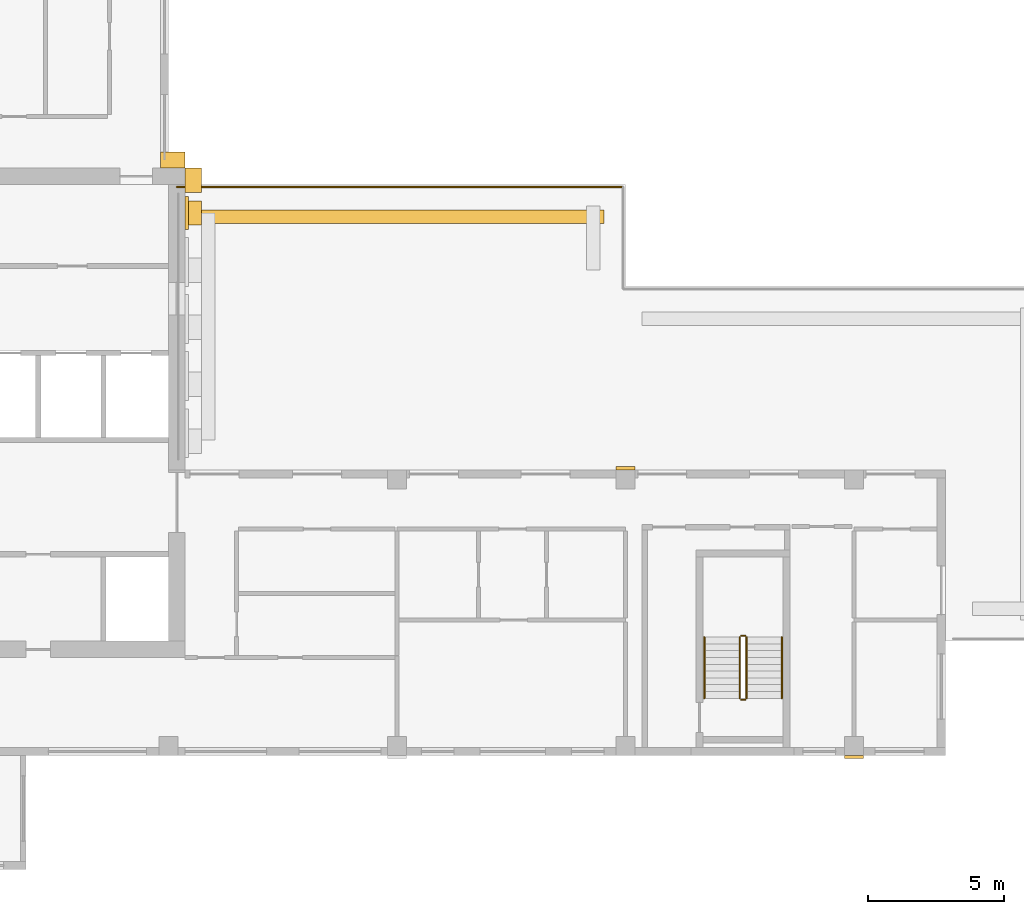
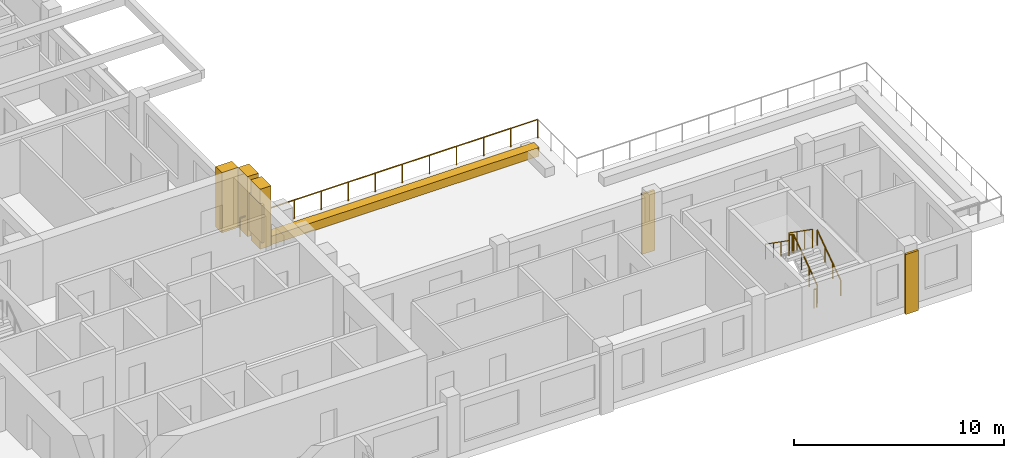
# One storey, part 10 of 12: 7 coverings, 7 railings.
"""IFC4 building model written with IfcOpenShell, lengths in metres."""

from ifc_helpers import new_model, si_unit, direction, frame, origin, origin_2d, place, context, subcontext, project, spatial, rectangle, circle, extrude, source, transform, mapped, material, type_object, element, save


model = new_model("IFC4")

# Units and contexts
model_context = context("Model", 3, precision=1e-05, world=origin(), true_north=direction((0.0, 1.0)))
body_context = subcontext(model_context, "Body", "Model", "MODEL_VIEW")
ifc_project = project(units=[si_unit("LENGTHUNIT", "METRE"), si_unit("AREAUNIT", "SQUARE_METRE"), si_unit("VOLUMEUNIT", "CUBIC_METRE"), si_unit("PLANEANGLEUNIT", "RADIAN"), si_unit("MASSUNIT", "GRAM", prefix="KILO")], contexts=[model_context])

# Site, building, storey
site_placement = place(None, origin())
site = spatial("IfcSite", under=ifc_project, at=site_placement, CompositionType="ELEMENT")
building_placement = place(site_placement, origin())
building = spatial("IfcBuilding", under=site, at=building_placement, Name="Aurelian Terraces", CompositionType="ELEMENT")
storey_placement = place(building_placement, frame((0.0, 0.0, 284.5)))
storey = spatial("IfcBuildingStorey", under=building, at=storey_placement, Name="L64", CompositionType="ELEMENT", Elevation=284.5)

# Railing
ifc_material_1 = material(Name="Anodised aluminium", Category="aluminium")
railing_type_1 = type_object("IfcRailingType", Name="GUARD-1100", PredefinedType="GUARDRAIL", material=ifc_material_1)
railing_1_placement = place(storey_placement, frame((21.3, 20.91, 0.0)))
element("IfcRailing", 1, at=railing_1_placement, inside=storey, type_object=railing_type_1, Name="Terrace guard L64 L64-X1.1", PredefinedType="GUARDRAIL", context=body_context, shape_type="SweptSolid", body=[
    extrude(circle(Radius=0.024, at=origin_2d()), frame((0.0, 0.0, 1.076), z_axis=(1.0, 0.0, 0.0), x_axis=(0.0, 1.0, 0.0)), (0.0, 0.0, 1.0), 16.41),
    extrude(circle(Radius=0.021, at=origin_2d()), origin(), (0.0, 0.0, 1.0), 1.052),
    extrude(circle(Radius=0.021, at=origin_2d()), frame((1.4918, 0.0, 0.0)), (0.0, 0.0, 1.0), 1.052),
    extrude(circle(Radius=0.021, at=origin_2d()), frame((2.9836, 0.0, 0.0)), (0.0, 0.0, 1.0), 1.052),
    extrude(circle(Radius=0.021, at=origin_2d()), frame((4.4755, 0.0, 0.0)), (0.0, 0.0, 1.0), 1.052),
    extrude(circle(Radius=0.021, at=origin_2d()), frame((5.9673, 0.0, 0.0)), (0.0, 0.0, 1.0), 1.052),
    extrude(circle(Radius=0.021, at=origin_2d()), frame((7.4591, 0.0, 0.0)), (0.0, 0.0, 1.0), 1.052),
    extrude(circle(Radius=0.021, at=origin_2d()), frame((8.9509, 0.0, 0.0)), (0.0, 0.0, 1.0), 1.052),
    extrude(circle(Radius=0.021, at=origin_2d()), frame((10.4427, 0.0, 0.0)), (0.0, 0.0, 1.0), 1.052),
    extrude(circle(Radius=0.021, at=origin_2d()), frame((11.9345, 0.0, 0.0)), (0.0, 0.0, 1.0), 1.052),
    extrude(circle(Radius=0.021, at=origin_2d()), frame((13.4264, 0.0, 0.0)), (0.0, 0.0, 1.0), 1.052),
    extrude(circle(Radius=0.021, at=origin_2d()), frame((14.9182, 0.0, 0.0)), (0.0, 0.0, 1.0), 1.052),
    extrude(circle(Radius=0.021, at=origin_2d()), frame((16.41, 0.0, 0.0)), (0.0, 0.0, 1.0), 1.052),
])

# Coverings
ifc_material_2 = material(Name="Terracotta rainscreen cladding louvre blades", Category="masonry")
covering_type_1 = type_object("IfcCoveringType", Name="LOUVRE-TC", PredefinedType="CLADDING", material=ifc_material_2)
covering_1_placement = place(storey_placement, frame((21.66, 19.95, 0.45), z_axis=(0.0, 0.0, 1.0), x_axis=(1.0, 0.0, 0.0)))
element("IfcCovering", 2, at=covering_1_placement, inside=storey, type_object=covering_type_1, Name="LOUVRE L64 core face E.5", PredefinedType="CLADDING", context=body_context, shape_type="SweptSolid", body=[
    extrude(rectangle(XDim=0.12, YDim=1.2, at=origin_2d()), origin(), (0.0, 0.0, 1.0), 2.2),
])
ifc_material_3 = material(Name="Terracotta planter with planting soil", Category="masonry")
covering_type_2 = type_object("IfcCoveringType", Name="PLANTER-TROUGH", PredefinedType="USERDEFINED", material=ifc_material_3)
covering_2_placement = place(storey_placement, frame((29.505, 19.81, 0.0), z_axis=(0.0, 0.0, 1.0), x_axis=(1.0, 0.0, 0.0)))
element("IfcCovering", 3, at=covering_2_placement, inside=storey, type_object=covering_type_2, Name="PLANTER L64 terrace L64-X1-0.1", ObjectType="PLANTER", PredefinedType="USERDEFINED", context=body_context, shape_type="SweptSolid", body=[
    extrude(rectangle(XDim=15.01, YDim=0.5, at=origin_2d()), origin(), (0.0, 0.0, 1.0), 0.5),
])
ifc_material_4 = material(Name="Terracotta rainscreen cladding relief", Category="masonry")
covering_type_3 = type_object("IfcCoveringType", Name="BAGUETTE-TC", PredefinedType="CLADDING", material=ifc_material_4)
shared_shape_1 = source(origin(), body_context, "Body", "SweptSolid", [
    extrude(rectangle(XDim=0.7, YDim=0.12, at=origin_2d()), origin(), (0.0, 0.0, 1.0), 3.5),
])
for number, where, z_axis, x_axis, name in (
    (4, (46.2, -0.06, -0.4), (0.0, 0.0, 1.0), (1.0, 0.0, 0.0), "BAGUETTE pier L64 3"),
    (5, (37.8, 10.56, -0.4), (0.0, 0.0, 1.0), (1.0, 0.0, 0.0), "BAGUETTE pier L64 4"),
):
    element("IfcCovering", number, at=place(storey_placement, frame(where, z_axis=z_axis, x_axis=x_axis)), inside=storey, type_object=covering_type_3, Name=name, PredefinedType="CLADDING", context=body_context, shape_type="MappedRepresentation", body=[
        mapped(shared_shape_1, transform((0.0, 0.0, 0.0), scale=1.0)),
    ])

# Railings
ifc_material_5 = material(Name="Stainless steel", Category="steel")
railing_type_2 = type_object("IfcRailingType", Name="Stair guard 1100", PredefinedType="GUARDRAIL", material=ifc_material_5)
shared_shape_2 = source(origin(), body_context, "Body", "SweptSolid", [
    extrude(circle(Radius=0.024, at=origin_2d()), frame((0.0, 0.0, 1.076), z_axis=(-1.0, 0.0, 0.0), x_axis=(0.0, -1.0, 0.0)), (0.0, 0.0, 1.0), 0.15),
    extrude(circle(Radius=0.021, at=origin_2d()), origin(), (0.0, 0.0, 1.0), 1.052),
    extrude(circle(Radius=0.021, at=origin_2d()), frame((-0.15, 0.0, 0.0)), (0.0, 0.0, 1.0), 1.052),
])
for number, where, name in (
    (6, (42.2, 4.4, 1.75), "L64 S2 stair guard 2"),
    (7, (42.2, 2.05, 0.0), "L64 S2 stair guard 4"),
):
    element("IfcRailing", number, at=place(storey_placement, frame(where)), inside=storey, type_object=railing_type_2, Name=name, PredefinedType="GUARDRAIL", context=body_context, shape_type="MappedRepresentation", body=[
        mapped(shared_shape_2, transform((0.0, 0.0, 0.0), scale=1.0)),
    ])
shared_shape_3 = source(origin(), body_context, "Body", "SweptSolid", [
    extrude(circle(Radius=0.024, at=origin_2d()), frame((0.0, 0.0, 1.076), z_axis=(0.0, 0.819231920519, 0.573462344363), x_axis=(-1.0, 0.0, 0.0)), (0.0, 0.0, 1.0), 2.7465),
    extrude(circle(Radius=0.021, at=origin_2d()), origin(), (0.0, 0.0, 1.0), 1.052),
    extrude(circle(Radius=0.021, at=origin_2d()), frame((0.0, 0.75, 0.525)), (0.0, 0.0, 1.0), 1.052),
    extrude(circle(Radius=0.021, at=origin_2d()), frame((0.0, 1.5, 1.05)), (0.0, 0.0, 1.0), 1.052),
    extrude(circle(Radius=0.021, at=origin_2d()), frame((0.0, 2.25, 1.575)), (0.0, 0.0, 1.0), 1.052),
])
railing_2_placement = place(storey_placement, frame((42.25, 2.1, 0.175)))
element("IfcRailing", 8, at=railing_2_placement, inside=storey, type_object=railing_type_2, Name="L64 S2 stair guard 1", PredefinedType="GUARDRAIL", context=body_context, shape_type="MappedRepresentation", body=[
    mapped(shared_shape_3, transform((0.0, 0.0, 0.0), scale=1.0)),
])
shared_shape_4 = source(origin(), body_context, "Body", "SweptSolid", [
    extrude(circle(Radius=0.024, at=origin_2d()), frame((0.0, 0.0, 1.076), z_axis=(0.0, -0.819231920519, 0.573462344363), x_axis=(1.0, 0.0, 0.0)), (0.0, 0.0, 1.0), 2.7465),
    extrude(circle(Radius=0.021, at=origin_2d()), origin(), (0.0, 0.0, 1.0), 1.052),
    extrude(circle(Radius=0.021, at=origin_2d()), frame((0.0, -0.75, 0.525)), (0.0, 0.0, 1.0), 1.052),
    extrude(circle(Radius=0.021, at=origin_2d()), frame((0.0, -1.5, 1.05)), (0.0, 0.0, 1.0), 1.052),
    extrude(circle(Radius=0.021, at=origin_2d()), frame((0.0, -2.25, 1.575)), (0.0, 0.0, 1.0), 1.052),
])
railing_3_placement = place(storey_placement, frame((42.0, 4.35, 1.925)))
element("IfcRailing", 9, at=railing_3_placement, inside=storey, type_object=railing_type_2, Name="L64 S2 stair guard 3", PredefinedType="GUARDRAIL", context=body_context, shape_type="MappedRepresentation", body=[
    mapped(shared_shape_4, transform((0.0, 0.0, 0.0), scale=1.0)),
])
railing_type_3 = type_object("IfcRailingType", Name="Stair handrail", PredefinedType="HANDRAIL", material=ifc_material_5)
shared_shape_5 = source(origin(), body_context, "Body", "SweptSolid", [
    extrude(circle(Radius=0.024, at=origin_2d()), frame((0.0, 0.0, 0.876), z_axis=(0.0, 0.819231920519, 0.573462344363), x_axis=(-1.0, 0.0, 0.0)), (0.0, 0.0, 1.0), 2.7465),
    extrude(circle(Radius=0.021, at=origin_2d()), origin(), (0.0, 0.0, 1.0), 0.852),
    extrude(circle(Radius=0.021, at=origin_2d()), frame((0.0, 0.75, 0.525)), (0.0, 0.0, 1.0), 0.852),
    extrude(circle(Radius=0.021, at=origin_2d()), frame((0.0, 1.5, 1.05)), (0.0, 0.0, 1.0), 0.852),
    extrude(circle(Radius=0.021, at=origin_2d()), frame((0.0, 2.25, 1.575)), (0.0, 0.0, 1.0), 0.852),
])
railing_4_placement = place(storey_placement, frame((43.55, 2.1, 0.175)))
element("IfcRailing", 10, at=railing_4_placement, inside=storey, type_object=railing_type_3, Name="L64 S2 stair handrail 1", PredefinedType="HANDRAIL", context=body_context, shape_type="MappedRepresentation", body=[
    mapped(shared_shape_5, transform((0.0, 0.0, 0.0), scale=1.0)),
])
shared_shape_6 = source(origin(), body_context, "Body", "SweptSolid", [
    extrude(circle(Radius=0.024, at=origin_2d()), frame((0.0, 0.0, 0.876), z_axis=(0.0, -0.819231920519, 0.573462344363), x_axis=(1.0, 0.0, 0.0)), (0.0, 0.0, 1.0), 2.7465),
    extrude(circle(Radius=0.021, at=origin_2d()), origin(), (0.0, 0.0, 1.0), 0.852),
    extrude(circle(Radius=0.021, at=origin_2d()), frame((0.0, -0.75, 0.525)), (0.0, 0.0, 1.0), 0.852),
    extrude(circle(Radius=0.021, at=origin_2d()), frame((0.0, -1.5, 1.05)), (0.0, 0.0, 1.0), 0.852),
    extrude(circle(Radius=0.021, at=origin_2d()), frame((0.0, -2.25, 1.575)), (0.0, 0.0, 1.0), 0.852),
])
railing_5_placement = place(storey_placement, frame((40.7, 4.35, 1.925)))
element("IfcRailing", 11, at=railing_5_placement, inside=storey, type_object=railing_type_3, Name="L64 S2 stair handrail 2", PredefinedType="HANDRAIL", context=body_context, shape_type="MappedRepresentation", body=[
    mapped(shared_shape_6, transform((0.0, 0.0, 0.0), scale=1.0)),
])

# Coverings
covering_type_4 = type_object("IfcCoveringType", Name="Core spine pier 900x600", PredefinedType="CLADDING", material=ifc_material_4)
shared_shape_7 = source(origin(), body_context, "Body", "SweptSolid", [
    extrude(rectangle(XDim=0.6, YDim=0.9, at=origin_2d()), origin(), (0.0, 0.0, 1.0), 3.5),
])
for number, where, z_axis, x_axis, name in (
    (12, (21.9, 19.95, 0.0), (0.0, 0.0, 1.0), (1.0, 0.0, 0.0), "Spine pier L64 E5"),
    (13, (21.9, 21.15, 0.0), (0.0, 0.0, 1.0), (1.0, 0.0, 0.0), "Spine pier L64 corner east"),
):
    element("IfcCovering", number, at=place(storey_placement, frame(where, z_axis=z_axis, x_axis=x_axis)), inside=storey, type_object=covering_type_4, Name=name, PredefinedType="CLADDING", context=body_context, shape_type="MappedRepresentation", body=[
        mapped(shared_shape_7, transform((0.0, 0.0, 0.0), scale=1.0)),
    ])
shared_shape_8 = source(origin(), body_context, "Body", "SweptSolid", [
    extrude(rectangle(XDim=0.9, YDim=0.6, at=origin_2d()), origin(), (0.0, 0.0, 1.0), 3.5),
])
covering_3_placement = place(storey_placement, frame((21.15, 21.9, 0.0), z_axis=(0.0, 0.0, 1.0), x_axis=(1.0, 0.0, 0.0)))
element("IfcCovering", 14, at=covering_3_placement, inside=storey, type_object=covering_type_4, Name="Spine pier L64 corner north", PredefinedType="CLADDING", context=body_context, shape_type="MappedRepresentation", body=[
    mapped(shared_shape_8, transform((0.0, 0.0, 0.0), scale=1.0)),
])

save(model, "model.ifc")
